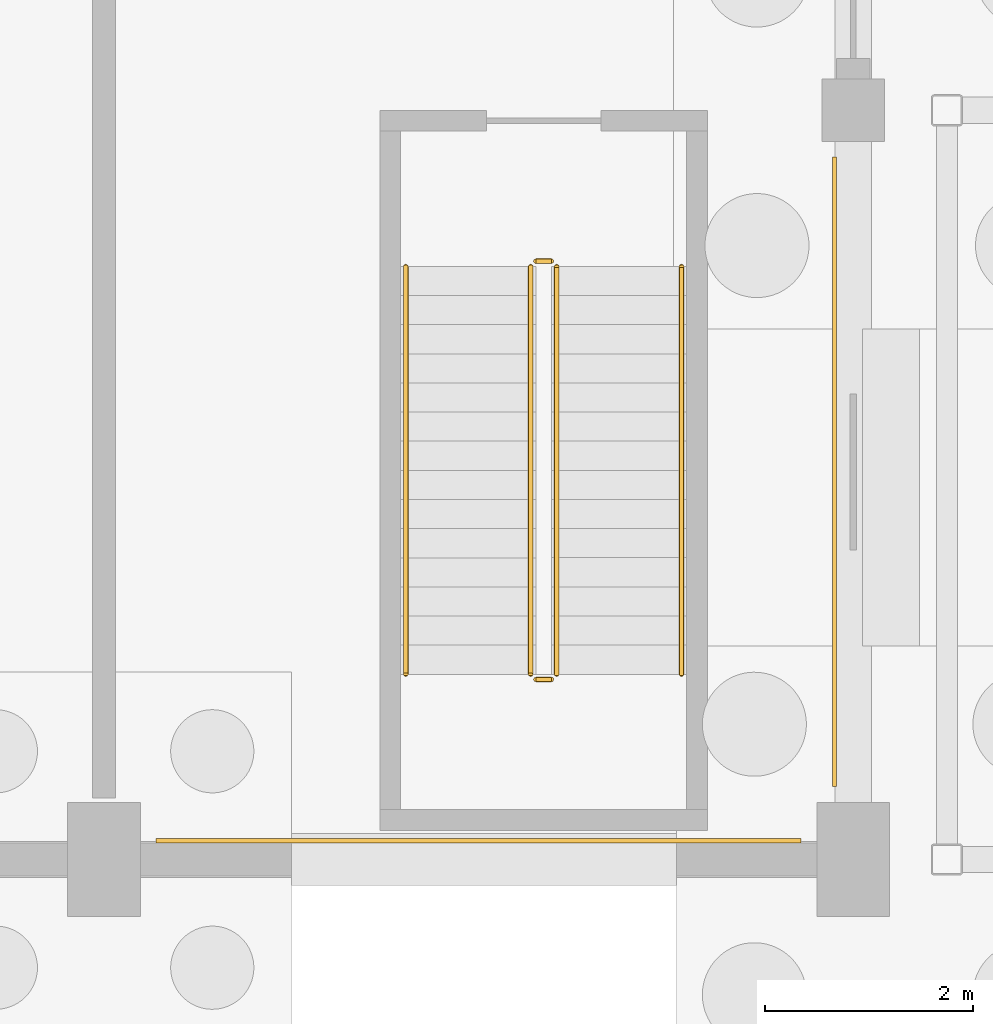
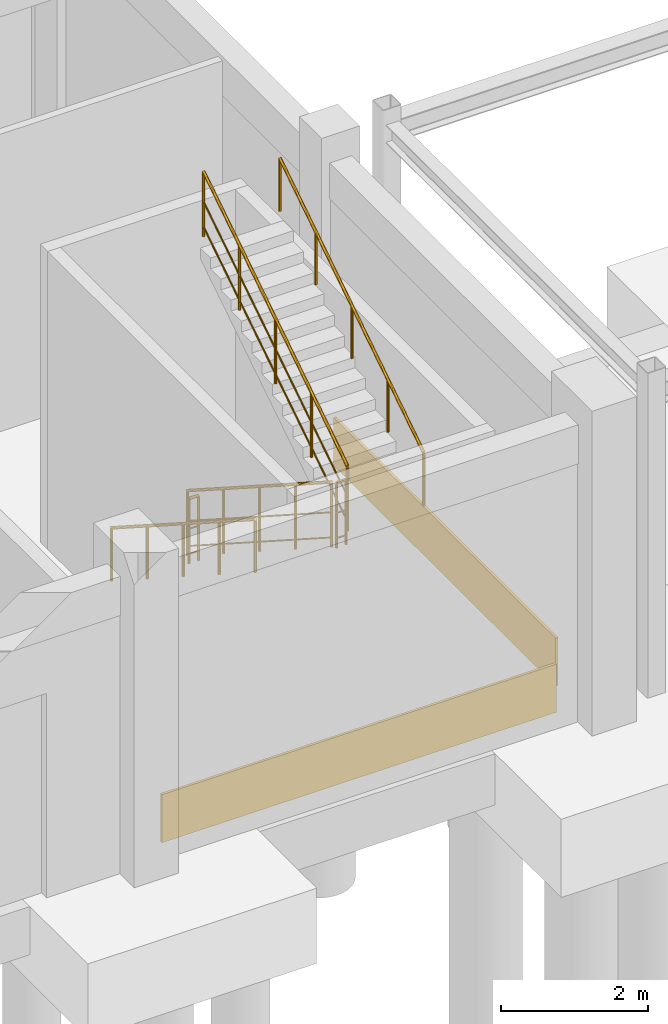
# One storey, part 86 of 93: 6 railings, 2 coverings.
"""IFC4 building model written with IfcOpenShell, lengths in metres."""

import ifcopenshell
import ifcopenshell.guid

model = None  # the IFC model being written
_history = None  # IfcOwnerHistory: only IFC2X3 demands one
_inside = {}  # id of a spatial element -> (the spatial element, [elements in it])
_under = {}  # id of a project, library or spatial element -> (it, [spatial elements below it])
_declared = {}  # id of a project -> (the project, [libraries it declares])
_typed = {}  # id of a type object -> (the type object, [elements of that type])
_made_of = {}  # id of a material, layer set ... -> (it, [elements and type objects made of it])


def new_model(schema):
    """Start an empty IFC model of exactly this schema.

    Asked for "IFC4X3", IfcOpenShell would pick the latest addendum, in which some entities
    have other attributes; the version numbers below select the first issue.
    IFC2X3 requires an IfcOwnerHistory on every rooted entity: one is made here for all.
    """
    global model, _history
    if schema == "IFC4X3":
        model = ifcopenshell.file(schema_version=(4, 3, 0, 0))
    else:
        model = ifcopenshell.file(schema=schema)
    _inside.clear()
    _under.clear()
    _declared.clear()
    _typed.clear()
    _made_of.clear()
    _history = None
    if model.schema == "IFC2X3":
        org = make("IfcOrganization", Name="unknown")
        user = make(
            "IfcPersonAndOrganization",
            ThePerson=make("IfcPerson", FamilyName="unknown"),
            TheOrganization=org,
        )
        app = make(
            "IfcApplication",
            ApplicationDeveloper=org,
            Version="unknown",
            ApplicationFullName="unknown",
            ApplicationIdentifier="unknown",
        )
        _history = make(
            "IfcOwnerHistory",
            OwningUser=user,
            OwningApplication=app,
            ChangeAction="ADDED",
            CreationDate=0,
        )
    return model


def make(cls, **values):
    """One entity of the class cls with the attributes given. An attribute that is None is left unset."""
    return model.create_entity(
        cls, **{name: value for name, value in values.items() if value is not None}
    )


def rooted(cls, **values):
    """An entity with a GlobalId (a new one), such as an element, a storey or a relation."""
    return make(cls, GlobalId=ifcopenshell.guid.new(), OwnerHistory=_history, **values)


def si_unit(unit_type, name, prefix=None):
    """IfcSIUnit, for example si_unit("LENGTHUNIT", "METRE", prefix="MILLI")."""
    return make("IfcSIUnit", UnitType=unit_type, Prefix=prefix, Name=name)


def assignment(units):
    """IfcUnitAssignment: the units of a project."""
    return None if units is None else make("IfcUnitAssignment", Units=units)


def point(xyz):
    """IfcCartesianPoint."""
    return None if xyz is None else make("IfcCartesianPoint", Coordinates=xyz)


def direction(xyz):
    """IfcDirection."""
    return None if xyz is None else make("IfcDirection", DirectionRatios=xyz)


def frame(location, z_axis=None, x_axis=None):
    """IfcAxis2Placement3D, a coordinate frame: its origin and axes. An axis left out is left unset."""
    return make(
        "IfcAxis2Placement3D",
        Location=point(location),
        Axis=direction(z_axis),
        RefDirection=direction(x_axis),
    )


def frame_2d(location, x_axis=None):
    """IfcAxis2Placement2D, a coordinate frame in the plane: its origin and x axis."""
    return make(
        "IfcAxis2Placement2D", Location=point(location), RefDirection=direction(x_axis)
    )


def origin():
    """The frame at (0, 0, 0) with its axes left unset."""
    return frame((0.0, 0.0, 0.0))


def origin_2d():
    """The frame at (0, 0) in the plane with its x axis left unset."""
    return frame_2d((0.0, 0.0))


def place(relative_to, where):
    """IfcLocalPlacement: puts the frame where relative to a parent placement (None: the world)."""
    return make(
        "IfcLocalPlacement", PlacementRelTo=relative_to, RelativePlacement=where
    )


def context(
    kind, dimensions, precision=None, world=None, true_north=None, identifier=None
):
    """IfcGeometricRepresentationContext, for example the 3D "Model" context."""
    return make(
        "IfcGeometricRepresentationContext",
        ContextIdentifier=identifier,
        ContextType=kind,
        CoordinateSpaceDimension=dimensions,
        Precision=precision,
        WorldCoordinateSystem=world,
        TrueNorth=true_north,
    )


def subcontext(parent, identifier, kind, view, scale=None):
    """IfcGeometricRepresentationSubContext, for example "Body" below "Model"."""
    return make(
        "IfcGeometricRepresentationSubContext",
        ContextIdentifier=identifier,
        ContextType=kind,
        ParentContext=parent,
        TargetScale=scale,
        TargetView=view,
    )


def project(units=None, contexts=None):
    """IfcProject with its units and contexts."""
    return rooted(
        "IfcProject",
        Name="project",
        RepresentationContexts=contexts,
        UnitsInContext=assignment(units),
    )


def spatial(cls, under=None, at=None, **own):
    """A site, building, storey or space (cls), placed at a placement, below another one or the project."""
    s = rooted(cls, ObjectPlacement=at, **own)
    if under is not None:
        _under.setdefault(under.id(), (under, []))[1].append(s)
    return s


def profile(cls, at=None, kind="AREA", **sizes):
    """A parametric profile (cls). Its sizes go by their IFC names, for example OverallWidth=200.0."""
    return make(cls, ProfileType=kind, Position=at, **sizes)


def rectangle(**sizes):
    """IfcRectangleProfileDef."""
    return profile("IfcRectangleProfileDef", **sizes)


def circle(**sizes):
    """IfcCircleProfileDef."""
    return profile("IfcCircleProfileDef", **sizes)


def extrude(swept, where, along, depth):
    """IfcExtrudedAreaSolid: the profile swept, set in the frame where, extruded along a direction by depth."""
    return make(
        "IfcExtrudedAreaSolid",
        SweptArea=swept,
        Position=where,
        ExtrudedDirection=direction(along),
        Depth=depth,
    )


def shape(context_of_items, identifier, shape_type, items):
    """IfcShapeRepresentation: the items that make up one representation, for example the "Body"."""
    return make(
        "IfcShapeRepresentation",
        ContextOfItems=context_of_items,
        RepresentationIdentifier=identifier,
        RepresentationType=shape_type,
        Items=items,
    )


def material(Name=None, Category=None):
    """IfcMaterial."""
    return make("IfcMaterial", Name=Name, Category=Category)


def layer(
    of_material, thickness, ventilated=None, Name=None, Category=None, Priority=None
):
    """IfcMaterialLayer: one layer of a wall or slab, of a material (None: an air gap)."""
    return make(
        "IfcMaterialLayer",
        Material=of_material,
        LayerThickness=thickness,
        IsVentilated=ventilated,
        Name=Name,
        Category=Category,
        Priority=Priority,
    )


def layer_set(layers, Name=None):
    """IfcMaterialLayerSet."""
    return make("IfcMaterialLayerSet", MaterialLayers=layers, LayerSetName=Name)


def made_of(thing, what):
    """Note that an element or type object is made of a material, layer set ...; save() writes the relation."""
    if what is not None:
        _made_of.setdefault(what.id(), (what, []))[1].append(thing)
    return thing


def type_object(cls, material=None, **own):
    """A type object (cls), such as IfcWallType, which elements share."""
    return made_of(rooted(cls, **own), material)


def element(
    cls,
    number,
    at=None,
    inside=None,
    cuts=None,
    type_object=None,
    material=None,
    context=None,
    identifier="Body",
    shape_type=None,
    held_by="IfcProductDefinitionShape",
    body=None,
    shapes=None,
    **own,
):
    """One element of the class cls, such as IfcWall. Its Tag is "e" and its number.

    at: its placement. inside: the storey or other place that contains it. cuts: it is an
    opening in that element (IfcRelVoidsElement). A single representation is given by context,
    identifier, shape_type and body (its items); several are given by shapes. held_by: the class
    of the entity that holds the representations. save() writes the other relations.
    """
    e = rooted(cls, Tag="e%d" % number, ObjectPlacement=at, **own)
    if body is not None:
        shapes = [shape(context, identifier, shape_type, body)]
    if shapes is not None:
        e.Representation = make(held_by, Representations=shapes)
    if inside is not None:
        _inside.setdefault(inside.id(), (inside, []))[1].append(e)
    if cuts is not None:
        rooted(
            "IfcRelVoidsElement", RelatingBuildingElement=cuts, RelatedOpeningElement=e
        )
    if type_object is not None:
        _typed.setdefault(type_object.id(), (type_object, []))[1].append(e)
    return made_of(e, material)


def aggregate(whole, parts):
    """IfcRelAggregates: a whole, such as a stair, and the parts it consists of."""
    return rooted("IfcRelAggregates", RelatingObject=whole, RelatedObjects=parts)


def save(model, path):
    """Write the relations noted so far, then the file.

    IfcRelAggregates (storeys below a building ...), IfcRelContainedInSpatialStructure (elements
    in a storey), IfcRelDefinesByType, IfcRelAssociatesMaterial and IfcRelDeclares: one each for
    every whole, place, type object, material and project.
    """
    for whole, parts in _under.values():
        aggregate(whole, parts)
    for where, things in _inside.values():
        rooted(
            "IfcRelContainedInSpatialStructure",
            RelatedElements=things,
            RelatingStructure=where,
        )
    for kind, things in _typed.values():
        rooted("IfcRelDefinesByType", RelatedObjects=things, RelatingType=kind)
    for what, things in _made_of.values():
        rooted("IfcRelAssociatesMaterial", RelatedObjects=things, RelatingMaterial=what)
    for by, libraries in _declared.values():
        rooted("IfcRelDeclares", RelatingContext=by, RelatedDefinitions=libraries)
    model.write(path)


model = new_model("IFC4")

# Units and contexts
model_context = context("Model", 3, precision=1e-05, world=origin(), true_north=direction((0.0, 1.0)))
body_context = subcontext(model_context, "Body", "Model", "MODEL_VIEW")
ifc_project = project(units=[si_unit("LENGTHUNIT", "METRE"), si_unit("AREAUNIT", "SQUARE_METRE"), si_unit("VOLUMEUNIT", "CUBIC_METRE"), si_unit("PLANEANGLEUNIT", "RADIAN"), si_unit("MASSUNIT", "GRAM", prefix="KILO")], contexts=[model_context])

# Site, building, storey
site_placement = place(None, origin())
site = spatial("IfcSite", under=ifc_project, at=site_placement, CompositionType="ELEMENT")
building_placement = place(site_placement, origin())
building = spatial("IfcBuilding", under=site, at=building_placement, Name="Koriwan Promenade Central Fire Station", CompositionType="ELEMENT")
storey_placement = place(building_placement, origin())
storey = spatial("IfcBuildingStorey", under=building, at=storey_placement, Name="L00", CompositionType="ELEMENT", Elevation=0.0)

# Railings
ifc_material_1 = material(Name="Steel ASTM A500 Grade C", Category="steel")
ifc_layer_1 = layer(ifc_material_1, 0.050048828125, Name="Steel ASTM A500 Grade C")
ifc_layer_set_1 = layer_set([ifc_layer_1], Name="Steel ASTM A500 Grade C")
railing_type_1 = type_object("IfcRailingType", Name="StairGuard_1100", PredefinedType="BALUSTRADE", material=ifc_layer_set_1)
railing_1_placement = place(storey_placement, frame((112.10009765625, 48.89990234375, 0.179931640625)))
element("IfcRailing", 1, at=railing_1_placement, inside=storey, type_object=railing_type_1, Name="L00 ST03 stair guard 1", PredefinedType="BALUSTRADE", context=body_context, shape_type="SweptSolid", body=[
    extrude(circle(Radius=0.02392578125, at=origin_2d()), frame((0.0, 0.0, 1.076171875), z_axis=(0.0, -0.841171666519, 0.540768182723), x_axis=(1.0, 0.0, 0.0)), (0.0, 0.0, 1.0), 4.66015625),
    extrude(circle(Radius=0.012939453125, at=origin_2d()), frame((0.0, 0.0, 0.572021484375), z_axis=(0.0, -0.841171666519, 0.540768182723), x_axis=(1.0, 0.0, 0.0)), (0.0, 0.0, 1.0), 4.66015625),
    extrude(circle(Radius=0.012939453125, at=origin_2d()), frame((0.0, 0.0, 0.154052734375), z_axis=(0.0, -0.841171666519, 0.540768182723), x_axis=(1.0, 0.0, 0.0)), (0.0, 0.0, 1.0), 4.66015625),
    extrude(circle(Radius=0.02099609375, at=origin_2d()), origin(), (0.0, 0.0, 1.0), 1.052001953125),
    extrude(circle(Radius=0.02099609375, at=origin_2d()), frame((0.0, -0.97998046875, 0.6298828125)), (0.0, 0.0, 1.0), 1.052001953125),
    extrude(circle(Radius=0.02099609375, at=origin_2d()), frame((0.0, -1.9599609375, 1.260009765625)), (0.0, 0.0, 1.0), 1.052001953125),
    extrude(circle(Radius=0.02099609375, at=origin_2d()), frame((0.0, -2.93994140625, 1.89013671875)), (0.0, 0.0, 1.0), 1.052001953125),
    extrude(circle(Radius=0.02099609375, at=origin_2d()), frame((0.0, -3.919921875, 2.52001953125)), (0.0, 0.0, 1.0), 1.052001953125),
])
railing_2_placement = place(storey_placement, frame((112.14990234375, 44.929931640625, 2.699951171875)))
element("IfcRailing", 2, at=railing_2_placement, inside=storey, type_object=railing_type_1, Name="L00 ST03 stair guard 2", PredefinedType="BALUSTRADE", context=body_context, shape_type="SweptSolid", body=[
    extrude(circle(Radius=0.02392578125, at=origin_2d()), frame((0.0, 0.0, 1.076171875), z_axis=(1.0, 0.0, 0.0), x_axis=(0.0, 1.0, 0.0)), (0.0, 0.0, 1.0), 0.150146484375),
    extrude(circle(Radius=0.012939453125, at=origin_2d()), frame((0.0, 0.0, 0.572021484375), z_axis=(1.0, 0.0, 0.0), x_axis=(0.0, 1.0, 0.0)), (0.0, 0.0, 1.0), 0.150146484375),
    extrude(circle(Radius=0.012939453125, at=origin_2d()), frame((0.0, 0.0, 0.154052734375), z_axis=(1.0, 0.0, 0.0), x_axis=(0.0, 1.0, 0.0)), (0.0, 0.0, 1.0), 0.150146484375),
    extrude(circle(Radius=0.02099609375, at=origin_2d()), origin(), (0.0, 0.0, 1.0), 1.052001953125),
    extrude(circle(Radius=0.02099609375, at=origin_2d()), frame((0.150146484375, 0.0, 0.0)), (0.0, 0.0, 1.0), 1.052001953125),
])
railing_3_placement = place(storey_placement, frame((112.35009765625, 44.97998046875, 2.8798828125)))
element("IfcRailing", 3, at=railing_3_placement, inside=storey, type_object=railing_type_1, Name="L00 ST03 stair guard 3", PredefinedType="BALUSTRADE", context=body_context, shape_type="SweptSolid", body=[
    extrude(circle(Radius=0.02392578125, at=origin_2d()), frame((0.0, 0.0, 1.076171875), z_axis=(0.0, 0.841171666519, 0.540768182723), x_axis=(-1.0, 0.0, 0.0)), (0.0, 0.0, 1.0), 4.66015625),
    extrude(circle(Radius=0.012939453125, at=origin_2d()), frame((0.0, 0.0, 0.572021484375), z_axis=(0.0, 0.841171666519, 0.540768182723), x_axis=(-1.0, 0.0, 0.0)), (0.0, 0.0, 1.0), 4.66015625),
    extrude(circle(Radius=0.012939453125, at=origin_2d()), frame((0.0, 0.0, 0.154052734375), z_axis=(0.0, 0.841171666519, 0.540768182723), x_axis=(-1.0, 0.0, 0.0)), (0.0, 0.0, 1.0), 4.66015625),
    extrude(circle(Radius=0.02099609375, at=origin_2d()), origin(), (0.0, 0.0, 1.0), 1.052001953125),
    extrude(circle(Radius=0.02099609375, at=origin_2d()), frame((0.0, 0.97998046875, 0.6298828125)), (0.0, 0.0, 1.0), 1.052001953125),
    extrude(circle(Radius=0.02099609375, at=origin_2d()), frame((0.0, 1.9599609375, 1.260009765625)), (0.0, 0.0, 1.0), 1.052001953125),
    extrude(circle(Radius=0.02099609375, at=origin_2d()), frame((0.0, 2.93994140625, 1.89013671875)), (0.0, 0.0, 1.0), 1.052001953125),
    extrude(circle(Radius=0.02099609375, at=origin_2d()), frame((0.0, 3.919921875, 2.52001953125)), (0.0, 0.0, 1.0), 1.052001953125),
])
railing_4_placement = place(storey_placement, frame((112.14990234375, 48.949951171875, 0.0)))
element("IfcRailing", 4, at=railing_4_placement, inside=storey, type_object=railing_type_1, Name="L00 ST03 stair guard 4", PredefinedType="BALUSTRADE", context=body_context, shape_type="SweptSolid", body=[
    extrude(circle(Radius=0.02392578125, at=origin_2d()), frame((0.0, 0.0, 1.076171875), z_axis=(1.0, 0.0, 0.0), x_axis=(0.0, 1.0, 0.0)), (0.0, 0.0, 1.0), 0.150146484375),
    extrude(circle(Radius=0.012939453125, at=origin_2d()), frame((0.0, 0.0, 0.572021484375), z_axis=(1.0, 0.0, 0.0), x_axis=(0.0, 1.0, 0.0)), (0.0, 0.0, 1.0), 0.150146484375),
    extrude(circle(Radius=0.012939453125, at=origin_2d()), frame((0.0, 0.0, 0.154052734375), z_axis=(1.0, 0.0, 0.0), x_axis=(0.0, 1.0, 0.0)), (0.0, 0.0, 1.0), 0.150146484375),
    extrude(circle(Radius=0.02099609375, at=origin_2d()), origin(), (0.0, 0.0, 1.0), 1.052001953125),
    extrude(circle(Radius=0.02099609375, at=origin_2d()), frame((0.150146484375, 0.0, 0.0)), (0.0, 0.0, 1.0), 1.052001953125),
])
ifc_material_2 = material(Name="Stainless steel 316 tubular handrail", Category="steel")
ifc_layer_2 = layer(ifc_material_2, 0.048095703125, Name="Stainless steel 316 tubular handrail")
ifc_layer_set_2 = layer_set([ifc_layer_2], Name="Stainless steel 316 tubular handrail")
railing_type_2 = type_object("IfcRailingType", Name="StairHandrail_900", PredefinedType="HANDRAIL", material=ifc_layer_set_2)
railing_5_placement = place(storey_placement, frame((110.89990234375, 48.89990234375, 0.179931640625)))
element("IfcRailing", 5, at=railing_5_placement, inside=storey, type_object=railing_type_2, Name="L00 ST03 stair handrail 1", PredefinedType="HANDRAIL", context=body_context, shape_type="SweptSolid", body=[
    extrude(circle(Radius=0.02392578125, at=origin_2d()), frame((0.0, 0.0, 0.8759765625), z_axis=(0.0, -0.841171666519, 0.540768182723), x_axis=(1.0, 0.0, 0.0)), (0.0, 0.0, 1.0), 4.66015625),
    extrude(circle(Radius=0.02099609375, at=origin_2d()), origin(), (0.0, 0.0, 1.0), 0.851806640625),
    extrude(circle(Radius=0.02099609375, at=origin_2d()), frame((0.0, -0.97998046875, 0.6298828125)), (0.0, 0.0, 1.0), 0.851806640625),
    extrude(circle(Radius=0.02099609375, at=origin_2d()), frame((0.0, -1.9599609375, 1.260009765625)), (0.0, 0.0, 1.0), 0.851806640625),
    extrude(circle(Radius=0.02099609375, at=origin_2d()), frame((0.0, -2.93994140625, 1.89013671875)), (0.0, 0.0, 1.0), 0.851806640625),
    extrude(circle(Radius=0.02099609375, at=origin_2d()), frame((0.0, -3.919921875, 2.52001953125)), (0.0, 0.0, 1.0), 0.851806640625),
])
railing_6_placement = place(storey_placement, frame((113.550048828125, 44.97998046875, 2.8798828125)))
element("IfcRailing", 6, at=railing_6_placement, inside=storey, type_object=railing_type_2, Name="L00 ST03 stair handrail 2", PredefinedType="HANDRAIL", context=body_context, shape_type="SweptSolid", body=[
    extrude(circle(Radius=0.02392578125, at=origin_2d()), frame((0.0, 0.0, 0.8759765625), z_axis=(0.0, 0.841171666519, 0.540768182723), x_axis=(-1.0, 0.0, 0.0)), (0.0, 0.0, 1.0), 4.66015625),
    extrude(circle(Radius=0.02099609375, at=origin_2d()), origin(), (0.0, 0.0, 1.0), 0.851806640625),
    extrude(circle(Radius=0.02099609375, at=origin_2d()), frame((0.0, 0.97998046875, 0.6298828125)), (0.0, 0.0, 1.0), 0.851806640625),
    extrude(circle(Radius=0.02099609375, at=origin_2d()), frame((0.0, 1.9599609375, 1.260009765625)), (0.0, 0.0, 1.0), 0.851806640625),
    extrude(circle(Radius=0.02099609375, at=origin_2d()), frame((0.0, 2.93994140625, 1.89013671875)), (0.0, 0.0, 1.0), 0.851806640625),
    extrude(circle(Radius=0.02099609375, at=origin_2d()), frame((0.0, 3.919921875, 2.52001953125)), (0.0, 0.0, 1.0), 0.851806640625),
])

# Coverings
ifc_material_3 = material(Name="Natural sillar sandstone ashlar", Category="masonry")
ifc_layer_3 = layer(ifc_material_3, 0.0400390625, Name="Natural sillar sandstone ashlar")
ifc_layer_set_3 = layer_set([ifc_layer_3], Name="Natural sillar sandstone ashlar")
covering_type = type_object("IfcCoveringType", Name="WallCladding_Sillar", PredefinedType="CLADDING", material=ifc_layer_set_3)
covering_1_placement = place(storey_placement, frame((115.02001953125, 46.925048828125, 0.02001953125), z_axis=(0.0, 0.0, 1.0), x_axis=(0.0, 1.0, 0.0)))
element("IfcCovering", 7, at=covering_1_placement, inside=storey, type_object=covering_type, Name="L00 sillar plinth cladding 001", PredefinedType="CLADDING", context=body_context, shape_type="SweptSolid", body=[
    extrude(rectangle(XDim=6.050048828125, YDim=0.0400390625, at=origin_2d()), origin(), (0.0, 0.0, 1.0), 0.800048828125),
])
covering_2_placement = place(storey_placement, frame((111.60009765625, 43.3798828125, 0.02001953125), z_axis=(0.0, 0.0, 1.0), x_axis=(1.0, 0.0, 0.0)))
element("IfcCovering", 8, at=covering_2_placement, inside=storey, type_object=covering_type, Name="L00 sillar plinth cladding 008", PredefinedType="CLADDING", context=body_context, shape_type="SweptSolid", body=[
    extrude(rectangle(XDim=6.199951171875, YDim=0.0400390625, at=origin_2d()), origin(), (0.0, 0.0, 1.0), 0.800048828125),
])

save(model, "model.ifc")
